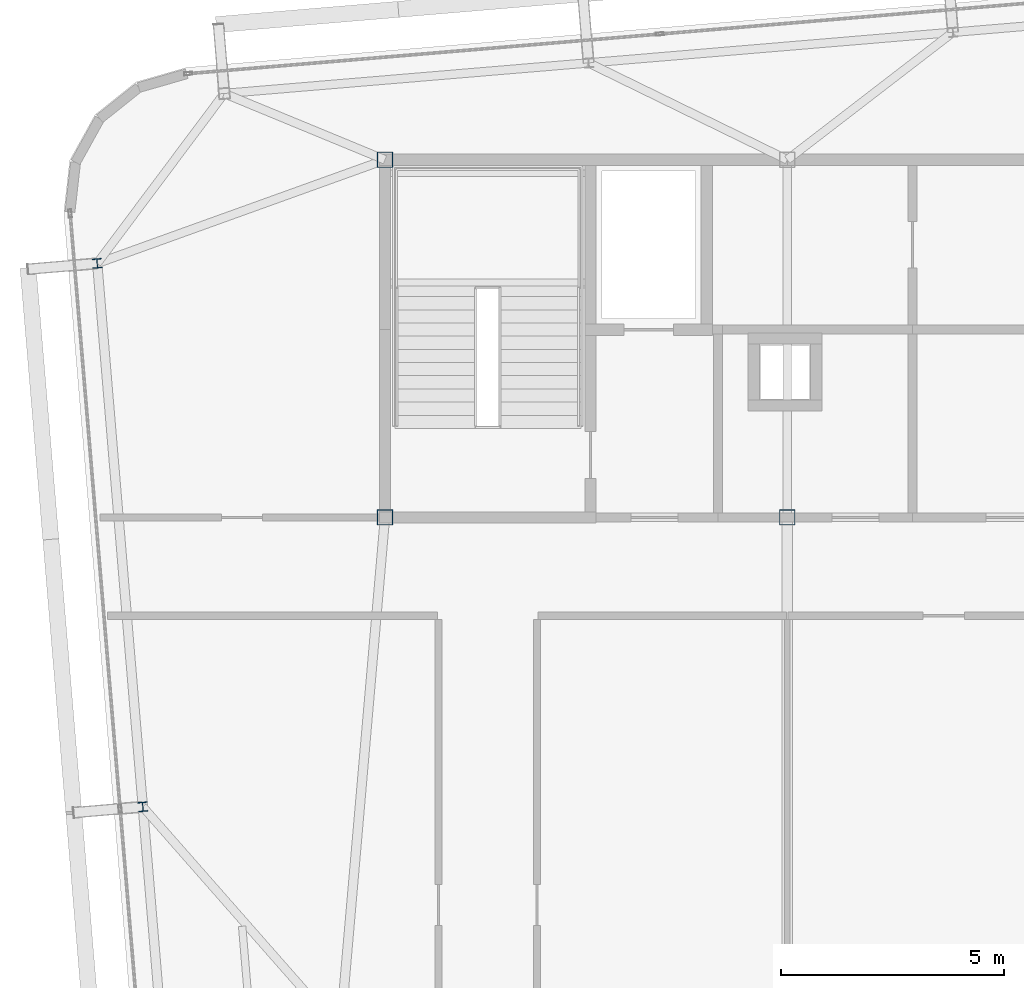
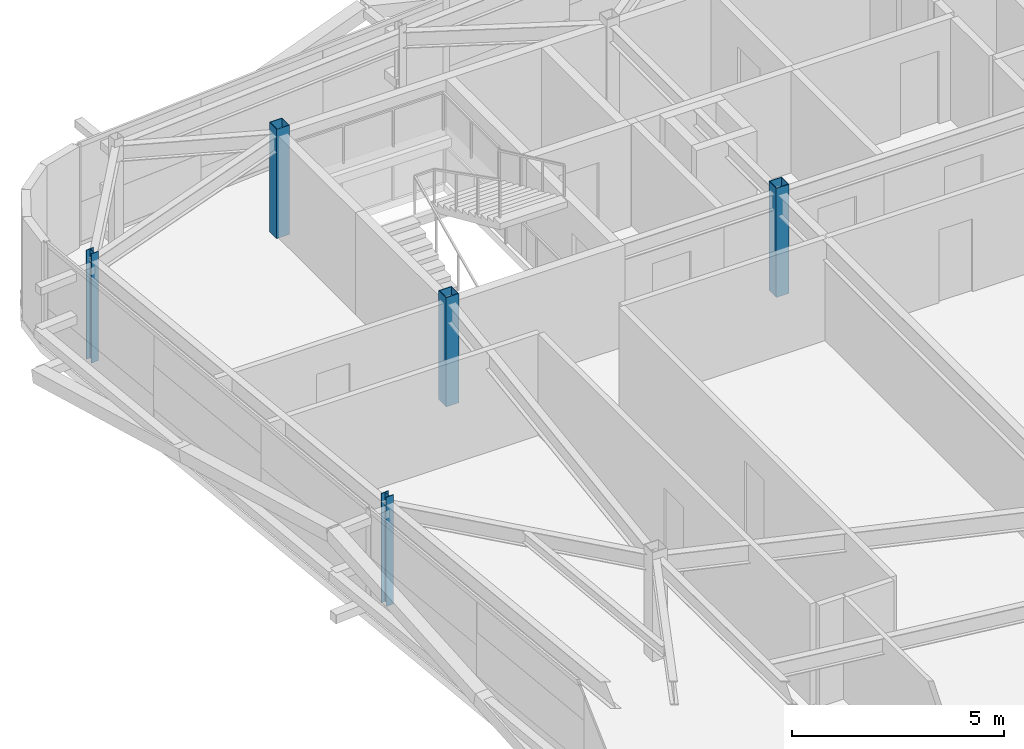
# One storey, part 2 of 39: 5 columns.
"""IFC4 building model written with IfcOpenShell, lengths in metres."""

from ifc_helpers import new_model, si_unit, direction, frame, origin, origin_2d, place, context, subcontext, project, spatial, hollow_rectangle, i_section, extrude, source, transform, mapped, material, material_profile, profile_set, type_object, element, save


model = new_model("IFC4")

# Units and contexts
model_context = context("Model", 3, precision=1e-05, world=origin(), true_north=direction((0.0, 1.0)))
body_context = subcontext(model_context, "Body", "Model", "MODEL_VIEW")
ifc_project = project(units=[si_unit("LENGTHUNIT", "METRE"), si_unit("AREAUNIT", "SQUARE_METRE"), si_unit("VOLUMEUNIT", "CUBIC_METRE"), si_unit("PLANEANGLEUNIT", "RADIAN"), si_unit("MASSUNIT", "GRAM", prefix="KILO")], contexts=[model_context])

# Site, building, storey
site_placement = place(None, origin())
site = spatial("IfcSite", under=ifc_project, at=site_placement, CompositionType="ELEMENT")
building_placement = place(site_placement, origin())
building = spatial("IfcBuilding", under=site, at=building_placement, Name="Taldren Reach Tower", CompositionType="ELEMENT")
storey_placement = place(building_placement, frame((0.0, 0.0, 178.85009765625)))
storey = spatial("IfcBuildingStorey", under=building, at=storey_placement, Name="L54", CompositionType="ELEMENT", Elevation=178.85009765625)

# Columns
ifc_material_1 = material(Name="Steel Gr 450 (C450L0)", Category="steel")
ifc_material_profile_1 = material_profile(ifc_material_1, hollow_rectangle(XDim=0.35009765625, YDim=0.35009765625, WallThickness=0.01611328125, at=origin_2d()), Name="350x350x16.0SHS")
ifc_profile_set_1 = profile_set([ifc_material_profile_1], Name="Steel Gr 450 (C450L0)")
column_type_1 = type_object("IfcColumnType", Name="COL-SHS350", PredefinedType="COLUMN", material=ifc_profile_set_1)
shared_shape_1 = source(origin(), body_context, "Body", "SweptSolid", [
    extrude(hollow_rectangle(XDim=0.35009765625, YDim=0.35009765625, WallThickness=0.01611328125, at=origin_2d()), origin(), (0.0, 0.0, 1.0), 3.14990234375),
])
for number, where, z_axis, x_axis, name in (
    (1, (19.0, 24.0, 0.0), (0.0, 0.0, 1.0), (1.0, 0.0, 0.0), "Mega column MC-C1 L54"),
    (2, (28.0, 24.0, 0.0), (0.0, 0.0, 1.0), (1.0, 0.0, 0.0), "Mega column MC-C2 L54"),
    (3, (19.0, 32.0, 0.0), (0.0, 0.0, 1.0), (1.0, 0.0, 0.0), "Mega column MC-C5 L54"),
):
    element("IfcColumn", number, at=place(storey_placement, frame(where, z_axis=z_axis, x_axis=x_axis)), inside=storey, type_object=column_type_1, Name=name, PredefinedType="COLUMN", context=body_context, shape_type="MappedRepresentation", body=[
        mapped(shared_shape_1, transform((0.0, 0.0, 0.0), scale=1.0)),
    ])
ifc_material_2 = material(Name="Steel Gr 350 (350PLUS)", Category="steel")
ifc_material_profile_2 = material_profile(ifc_material_2, i_section(OverallWidth=0.205078125, OverallDepth=0.2099609375, WebThickness=0.00927734375, FlangeThickness=0.01416015625, at=origin_2d()), Name="200UC59.5")
ifc_profile_set_2 = profile_set([ifc_material_profile_2], Name="Steel Gr 350 (350PLUS)")
column_type_2 = type_object("IfcColumnType", Name="COL-UC200", PredefinedType="COLUMN", material=ifc_profile_set_2)
shared_shape_2 = source(origin(), body_context, "Body", "SweptSolid", [
    extrude(i_section(OverallWidth=0.205078125, OverallDepth=0.2099609375, WebThickness=0.00927734375, FlangeThickness=0.01416015625, at=origin_2d()), origin(), (0.0, 0.0, 1.0), 3.14990234375),
])
for number, where, z_axis, x_axis, name in (
    (4, (13.582763671875, 17.525146484375, 0.0), (0.0, 0.0, 1.0), (0.99649285925, 0.083677843332, 0.0), "Block B4 perimeter column W2 L54"),
    (5, (12.56201171875, 29.682373046875, 0.0), (0.0, 0.0, 1.0), (0.99649285925, 0.083677843332, 0.0), "Block B4 perimeter column W3 L54"),
):
    element("IfcColumn", number, at=place(storey_placement, frame(where, z_axis=z_axis, x_axis=x_axis)), inside=storey, type_object=column_type_2, Name=name, PredefinedType="COLUMN", context=body_context, shape_type="MappedRepresentation", body=[
        mapped(shared_shape_2, transform((0.0, 0.0, 0.0), scale=1.0)),
    ])

save(model, "model.ifc")
